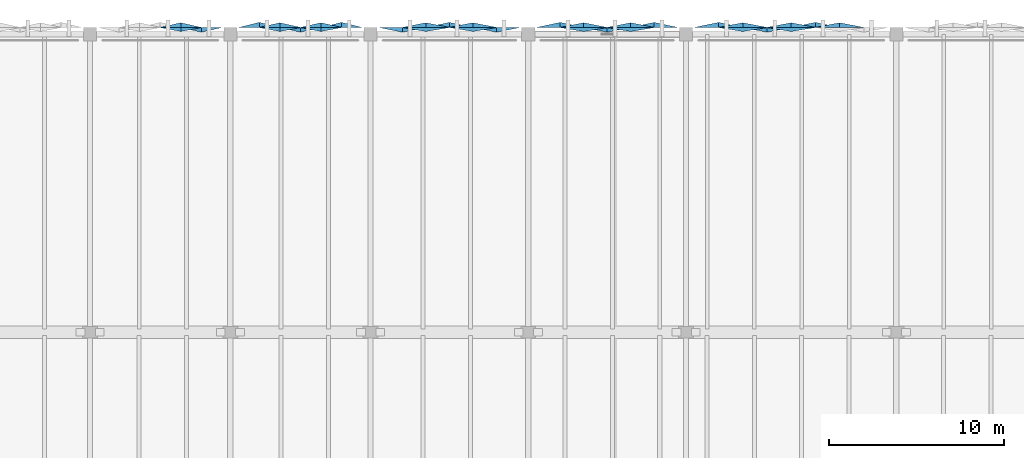
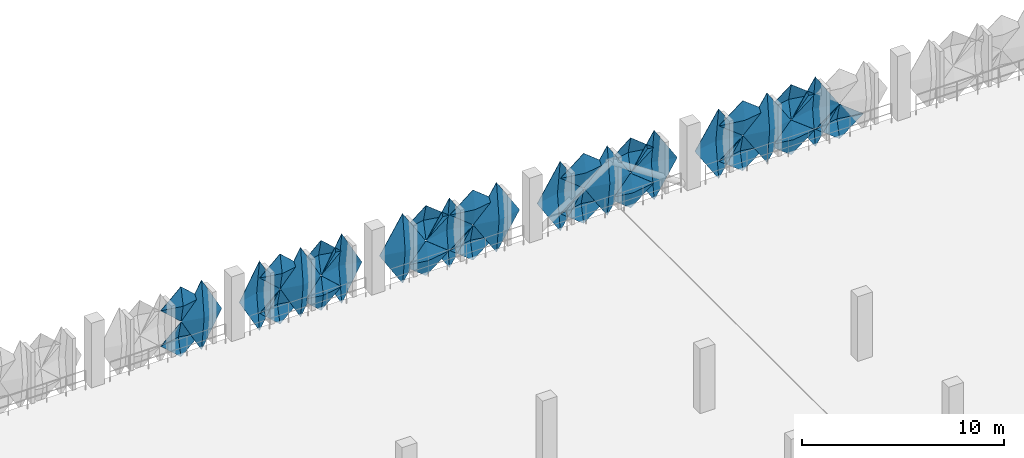
# One storey, part 68 of 83: 32 plates.
"""IFC4 building model written with IfcOpenShell, lengths in metres."""

from ifc_helpers import new_model, si_unit, derived_unit, direction, frame, origin, place, context, subcontext, project, spatial, polygons, material, layer, layer_set, type_object, element, save


model = new_model("IFC4")

# Units and contexts
model_context = context("Model", 3, precision=1e-05, world=origin(), true_north=direction((0.0, 1.0)))
body_context = subcontext(model_context, "Body", "Model", "MODEL_VIEW")
ifc_project = project(units=[si_unit("LENGTHUNIT", "METRE"), si_unit("AREAUNIT", "SQUARE_METRE"), si_unit("VOLUMEUNIT", "CUBIC_METRE"), si_unit("PLANEANGLEUNIT", "RADIAN"), si_unit("MASSUNIT", "GRAM", prefix="KILO"), si_unit("THERMODYNAMICTEMPERATUREUNIT", "KELVIN"), derived_unit("THERMALTRANSMITTANCEUNIT", [(si_unit("POWERUNIT", "WATT"), 1), (si_unit("AREAUNIT", "SQUARE_METRE"), -1), (si_unit("THERMODYNAMICTEMPERATUREUNIT", "KELVIN"), -1)])], contexts=[model_context])

# Site, building, storey
site_placement = place(None, origin())
site = spatial("IfcSite", under=ifc_project, at=site_placement, CompositionType="ELEMENT")
building_placement = place(site_placement, origin())
building = spatial("IfcBuilding", under=site, at=building_placement, Name="Haiyu Intermodal Mobility Hub", CompositionType="ELEMENT")
storey_placement = place(building_placement, frame((0.0, 0.0, 13.39990234375)))
storey = spatial("IfcBuildingStorey", under=building, at=storey_placement, Name="L03", CompositionType="ELEMENT", Elevation=13.39990234375)

# Plates
ifc_material = material(Name="Anodised aluminium 6063-T6", Category="aluminium")
ifc_layer_1 = layer(ifc_material, 0.01806640625)
ifc_layer_set_1 = layer_set([ifc_layer_1], Name="Anodised aluminium 6063-T6")
plate_type_1 = type_object("IfcPlateType", Name="PLT-FC01", PredefinedType="USERDEFINED", material=ifc_layer_set_1)
plate_1_placement = place(storey_placement, origin())
element("IfcPlate", 1, at=plate_1_placement, inside=storey, type_object=plate_type_1, Name="PLT-PYR-0192", ObjectType="FACADE CASSETTE", PredefinedType="USERDEFINED", context=body_context, shape_type="Tessellation", body=[
    polygons([(75.173095703125, 148.39990234375, 1.6201171875), (74.02001953125, 148.39990234375, 2.670166015625), (75.173095703125, 148.39990234375, 3.72021484375), (76.326904296875, 148.39990234375, 2.670166015625), (75.173095703125, 148.659912109375, 2.670166015625), (75.173095703125, 148.3779296875, 1.6201171875), (74.02001953125, 148.3779296875, 2.670166015625), (75.173095703125, 148.3779296875, 3.72021484375), (76.326904296875, 148.3779296875, 2.670166015625), (75.173095703125, 148.637939453125, 2.670166015625)], [[[1, 2, 5]], [[2, 3, 5]], [[3, 4, 5]], [[4, 1, 5]], [[7, 6, 10]], [[8, 7, 10]], [[9, 8, 10]], [[6, 9, 10]], [[1, 6, 7, 2]], [[2, 7, 8, 3]], [[3, 8, 9, 4]], [[4, 9, 6, 1]]], closed=True),
])
plate_2_placement = place(storey_placement, origin())
element("IfcPlate", 2, at=plate_2_placement, inside=storey, type_object=plate_type_1, Name="PLT-PYR-0228", ObjectType="FACADE CASSETTE", PredefinedType="USERDEFINED", context=body_context, shape_type="Tessellation", body=[
    polygons([(82.5, 148.39990234375, -0.510009765625), (81.179931640625, 148.39990234375, 1.60009765625), (82.5, 148.39990234375, 3.710205078125), (83.820068359375, 148.39990234375, 1.60009765625), (82.5, 148.679931640625, 1.60009765625), (82.5, 148.3779296875, -0.510009765625), (81.179931640625, 148.3779296875, 1.60009765625), (82.5, 148.3779296875, 3.710205078125), (83.820068359375, 148.3779296875, 1.60009765625), (82.5, 148.657958984375, 1.60009765625)], [[[1, 2, 5]], [[2, 3, 5]], [[3, 4, 5]], [[4, 1, 5]], [[7, 6, 10]], [[8, 7, 10]], [[9, 8, 10]], [[6, 9, 10]], [[1, 6, 7, 2]], [[2, 7, 8, 3]], [[3, 8, 9, 4]], [[4, 9, 6, 1]]], closed=True),
])
plate_3_placement = place(storey_placement, origin())
element("IfcPlate", 3, at=plate_3_placement, inside=storey, type_object=plate_type_1, Name="PLT-PYR-0230", ObjectType="FACADE CASSETTE", PredefinedType="USERDEFINED", context=body_context, shape_type="Tessellation", body=[
    polygons([(81.159912109375, 148.39990234375, 1.6201171875), (79.840087890625, 148.39990234375, 2.670166015625), (81.159912109375, 148.39990234375, 3.72021484375), (82.47998046875, 148.39990234375, 2.670166015625), (81.159912109375, 148.659912109375, 2.670166015625), (81.159912109375, 148.3779296875, 1.6201171875), (79.840087890625, 148.3779296875, 2.670166015625), (81.159912109375, 148.3779296875, 3.72021484375), (82.47998046875, 148.3779296875, 2.670166015625), (81.159912109375, 148.637939453125, 2.670166015625)], [[[1, 2, 5]], [[2, 3, 5]], [[3, 4, 5]], [[4, 1, 5]], [[7, 6, 10]], [[8, 7, 10]], [[9, 8, 10]], [[6, 9, 10]], [[1, 6, 7, 2]], [[2, 7, 8, 3]], [[3, 8, 9, 4]], [[4, 9, 6, 1]]], closed=True),
])
plate_4_placement = place(storey_placement, origin())
element("IfcPlate", 4, at=plate_4_placement, inside=storey, type_object=plate_type_1, Name="PLT-PYR-0262", ObjectType="FACADE CASSETTE", PredefinedType="USERDEFINED", context=body_context, shape_type="Tessellation", body=[
    polygons([(92.840087890625, 148.39990234375, 1.6201171875), (91.52001953125, 148.39990234375, 2.670166015625), (92.840087890625, 148.39990234375, 3.72021484375), (94.159912109375, 148.39990234375, 2.670166015625), (92.840087890625, 148.659912109375, 2.670166015625), (92.840087890625, 148.3779296875, 1.6201171875), (91.52001953125, 148.3779296875, 2.670166015625), (92.840087890625, 148.3779296875, 3.72021484375), (94.159912109375, 148.3779296875, 2.670166015625), (92.840087890625, 148.637939453125, 2.670166015625)], [[[1, 2, 5]], [[2, 3, 5]], [[3, 4, 5]], [[4, 1, 5]], [[7, 6, 10]], [[8, 7, 10]], [[9, 8, 10]], [[6, 9, 10]], [[1, 6, 7, 2]], [[2, 7, 8, 3]], [[3, 8, 9, 4]], [[4, 9, 6, 1]]], closed=True),
])
plate_5_placement = place(storey_placement, origin())
element("IfcPlate", 5, at=plate_5_placement, inside=storey, type_object=plate_type_1, Name="PLT-PYR-0304", ObjectType="FACADE CASSETTE", PredefinedType="USERDEFINED", context=body_context, shape_type="Tessellation", body=[
    polygons([(103.3798828125, 148.39990234375, -0.510009765625), (102.02001953125, 148.39990234375, 1.60009765625), (103.3798828125, 148.39990234375, 3.710205078125), (104.739990234375, 148.39990234375, 1.60009765625), (103.3798828125, 148.679931640625, 1.60009765625), (103.3798828125, 148.3779296875, -0.510009765625), (102.02001953125, 148.3779296875, 1.60009765625), (103.3798828125, 148.3779296875, 3.710205078125), (104.739990234375, 148.3779296875, 1.60009765625), (103.3798828125, 148.657958984375, 1.60009765625)], [[[1, 2, 5]], [[2, 3, 5]], [[3, 4, 5]], [[4, 1, 5]], [[7, 6, 10]], [[8, 7, 10]], [[9, 8, 10]], [[6, 9, 10]], [[1, 6, 7, 2]], [[2, 7, 8, 3]], [[3, 8, 9, 4]], [[4, 9, 6, 1]]], closed=True),
])
plate_6_placement = place(storey_placement, origin())
element("IfcPlate", 6, at=plate_6_placement, inside=storey, type_object=plate_type_1, Name="PLT-PYR-0306", ObjectType="FACADE CASSETTE", PredefinedType="USERDEFINED", context=body_context, shape_type="Tessellation", body=[
    polygons([(102.0, 148.39990234375, 1.6201171875), (100.639892578125, 148.39990234375, 2.670166015625), (102.0, 148.39990234375, 3.72021484375), (103.360107421875, 148.39990234375, 2.670166015625), (102.0, 148.659912109375, 2.670166015625), (102.0, 148.3779296875, 1.6201171875), (100.639892578125, 148.3779296875, 2.670166015625), (102.0, 148.3779296875, 3.72021484375), (103.360107421875, 148.3779296875, 2.670166015625), (102.0, 148.637939453125, 2.670166015625)], [[[1, 2, 5]], [[2, 3, 5]], [[3, 4, 5]], [[4, 1, 5]], [[7, 6, 10]], [[8, 7, 10]], [[9, 8, 10]], [[6, 9, 10]], [[1, 6, 7, 2]], [[2, 7, 8, 3]], [[3, 8, 9, 4]], [[4, 9, 6, 1]]], closed=True),
])
ifc_layer_2 = layer(ifc_material, 0.02001953125)
ifc_layer_set_2 = layer_set([ifc_layer_2], Name="Anodised aluminium 6063-T6")
plate_type_2 = type_object("IfcPlateType", Name="PLT-FC02", PredefinedType="USERDEFINED", material=ifc_layer_set_2)
plate_7_placement = place(storey_placement, origin())
element("IfcPlate", 7, at=plate_7_placement, inside=storey, type_object=plate_type_2, Name="PLT-PYR-0157", ObjectType="FACADE CASSETTE", PredefinedType="USERDEFINED", context=body_context, shape_type="Tessellation", body=[
    polygons([(67.173095703125, 148.39990234375, 1.6201171875), (66.02001953125, 148.39990234375, 2.670166015625), (67.173095703125, 148.39990234375, 3.72021484375), (68.326904296875, 148.39990234375, 2.670166015625), (67.173095703125, 148.179931640625, 2.670166015625), (67.173095703125, 148.3779296875, 1.6201171875), (66.02001953125, 148.3779296875, 2.670166015625), (67.173095703125, 148.3779296875, 3.72021484375), (68.326904296875, 148.3779296875, 2.670166015625), (67.173095703125, 148.157958984375, 2.670166015625)], [[[1, 2, 5]], [[2, 3, 5]], [[3, 4, 5]], [[4, 1, 5]], [[7, 6, 10]], [[8, 7, 10]], [[9, 8, 10]], [[6, 9, 10]], [[1, 6, 7, 2]], [[2, 7, 8, 3]], [[3, 8, 9, 4]], [[4, 9, 6, 1]]], closed=True),
])
plate_8_placement = place(storey_placement, origin())
element("IfcPlate", 8, at=plate_8_placement, inside=storey, type_object=plate_type_2, Name="PLT-PYR-0193", ObjectType="FACADE CASSETTE", PredefinedType="USERDEFINED", context=body_context, shape_type="Tessellation", body=[
    polygons([(74.0, 148.39990234375, -0.510009765625), (72.846923828125, 148.39990234375, 1.60009765625), (74.0, 148.39990234375, 3.710205078125), (75.153076171875, 148.39990234375, 1.60009765625), (74.0, 148.139892578125, 1.60009765625), (74.0, 148.3779296875, -0.510009765625), (72.846923828125, 148.3779296875, 1.60009765625), (74.0, 148.3779296875, 3.710205078125), (75.153076171875, 148.3779296875, 1.60009765625), (74.0, 148.117919921875, 1.60009765625)], [[[1, 2, 5]], [[2, 3, 5]], [[3, 4, 5]], [[4, 1, 5]], [[7, 6, 10]], [[8, 7, 10]], [[9, 8, 10]], [[6, 9, 10]], [[1, 6, 7, 2]], [[2, 7, 8, 3]], [[3, 8, 9, 4]], [[4, 9, 6, 1]]], closed=True),
])
plate_9_placement = place(storey_placement, origin())
element("IfcPlate", 9, at=plate_9_placement, inside=storey, type_object=plate_type_2, Name="PLT-PYR-0195", ObjectType="FACADE CASSETTE", PredefinedType="USERDEFINED", context=body_context, shape_type="Tessellation", body=[
    polygons([(72.826904296875, 148.39990234375, 1.6201171875), (71.673095703125, 148.39990234375, 2.670166015625), (72.826904296875, 148.39990234375, 3.72021484375), (73.97998046875, 148.39990234375, 2.670166015625), (72.826904296875, 148.179931640625, 2.670166015625), (72.826904296875, 148.3779296875, 1.6201171875), (71.673095703125, 148.3779296875, 2.670166015625), (72.826904296875, 148.3779296875, 3.72021484375), (73.97998046875, 148.3779296875, 2.670166015625), (72.826904296875, 148.157958984375, 2.670166015625)], [[[1, 2, 5]], [[2, 3, 5]], [[3, 4, 5]], [[4, 1, 5]], [[7, 6, 10]], [[8, 7, 10]], [[9, 8, 10]], [[6, 9, 10]], [[1, 6, 7, 2]], [[2, 7, 8, 3]], [[3, 8, 9, 4]], [[4, 9, 6, 1]]], closed=True),
])
plate_10_placement = place(storey_placement, origin())
element("IfcPlate", 10, at=plate_10_placement, inside=storey, type_object=plate_type_2, Name="PLT-PYR-0227", ObjectType="FACADE CASSETTE", PredefinedType="USERDEFINED", context=body_context, shape_type="Tessellation", body=[
    polygons([(83.840087890625, 148.39990234375, 1.6201171875), (82.52001953125, 148.39990234375, 2.670166015625), (83.840087890625, 148.39990234375, 3.72021484375), (85.159912109375, 148.39990234375, 2.670166015625), (83.840087890625, 148.179931640625, 2.670166015625), (83.840087890625, 148.3779296875, 1.6201171875), (82.52001953125, 148.3779296875, 2.670166015625), (83.840087890625, 148.3779296875, 3.72021484375), (85.159912109375, 148.3779296875, 2.670166015625), (83.840087890625, 148.157958984375, 2.670166015625)], [[[1, 2, 5]], [[2, 3, 5]], [[3, 4, 5]], [[4, 1, 5]], [[7, 6, 10]], [[8, 7, 10]], [[9, 8, 10]], [[6, 9, 10]], [[1, 6, 7, 2]], [[2, 7, 8, 3]], [[3, 8, 9, 4]], [[4, 9, 6, 1]]], closed=True),
])
plate_11_placement = place(storey_placement, origin())
element("IfcPlate", 11, at=plate_11_placement, inside=storey, type_object=plate_type_2, Name="PLT-PYR-0263", ObjectType="FACADE CASSETTE", PredefinedType="USERDEFINED", context=body_context, shape_type="Tessellation", body=[
    polygons([(91.5, 148.39990234375, -0.510009765625), (90.179931640625, 148.39990234375, 1.60009765625), (91.5, 148.39990234375, 3.710205078125), (92.820068359375, 148.39990234375, 1.60009765625), (91.5, 148.139892578125, 1.60009765625), (91.5, 148.3779296875, -0.510009765625), (90.179931640625, 148.3779296875, 1.60009765625), (91.5, 148.3779296875, 3.710205078125), (92.820068359375, 148.3779296875, 1.60009765625), (91.5, 148.117919921875, 1.60009765625)], [[[1, 2, 5]], [[2, 3, 5]], [[3, 4, 5]], [[4, 1, 5]], [[7, 6, 10]], [[8, 7, 10]], [[9, 8, 10]], [[6, 9, 10]], [[1, 6, 7, 2]], [[2, 7, 8, 3]], [[3, 8, 9, 4]], [[4, 9, 6, 1]]], closed=True),
])
plate_12_placement = place(storey_placement, origin())
element("IfcPlate", 12, at=plate_12_placement, inside=storey, type_object=plate_type_2, Name="PLT-PYR-0265", ObjectType="FACADE CASSETTE", PredefinedType="USERDEFINED", context=body_context, shape_type="Tessellation", body=[
    polygons([(90.159912109375, 148.39990234375, 1.6201171875), (88.840087890625, 148.39990234375, 2.670166015625), (90.159912109375, 148.39990234375, 3.72021484375), (91.47998046875, 148.39990234375, 2.670166015625), (90.159912109375, 148.179931640625, 2.670166015625), (90.159912109375, 148.3779296875, 1.6201171875), (88.840087890625, 148.3779296875, 2.670166015625), (90.159912109375, 148.3779296875, 3.72021484375), (91.47998046875, 148.3779296875, 2.670166015625), (90.159912109375, 148.157958984375, 2.670166015625)], [[[1, 2, 5]], [[2, 3, 5]], [[3, 4, 5]], [[4, 1, 5]], [[7, 6, 10]], [[8, 7, 10]], [[9, 8, 10]], [[6, 9, 10]], [[1, 6, 7, 2]], [[2, 7, 8, 3]], [[3, 8, 9, 4]], [[4, 9, 6, 1]]], closed=True),
])
plate_13_placement = place(storey_placement, origin())
element("IfcPlate", 13, at=plate_13_placement, inside=storey, type_object=plate_type_2, Name="PLT-PYR-0309", ObjectType="FACADE CASSETTE", PredefinedType="USERDEFINED", context=body_context, shape_type="Tessellation", body=[
    polygons([(99.239990234375, 148.39990234375, 1.6201171875), (97.8798828125, 148.39990234375, 2.670166015625), (99.239990234375, 148.39990234375, 3.72021484375), (100.60009765625, 148.39990234375, 2.670166015625), (99.239990234375, 148.179931640625, 2.670166015625), (99.239990234375, 148.3779296875, 1.6201171875), (97.8798828125, 148.3779296875, 2.670166015625), (99.239990234375, 148.3779296875, 3.72021484375), (100.60009765625, 148.3779296875, 2.670166015625), (99.239990234375, 148.157958984375, 2.670166015625)], [[[1, 2, 5]], [[2, 3, 5]], [[3, 4, 5]], [[4, 1, 5]], [[7, 6, 10]], [[8, 7, 10]], [[9, 8, 10]], [[6, 9, 10]], [[1, 6, 7, 2]], [[2, 7, 8, 3]], [[3, 8, 9, 4]], [[4, 9, 6, 1]]], closed=True),
])
ifc_layer_3 = layer(ifc_material, 0.01806640625)
ifc_layer_set_3 = layer_set([ifc_layer_3], Name="Anodised aluminium 6063-T6")
plate_type_3 = type_object("IfcPlateType", Name="PLT-FC03", PredefinedType="USERDEFINED", material=ifc_layer_set_3)
plate_14_placement = place(storey_placement, origin())
element("IfcPlate", 14, at=plate_14_placement, inside=storey, type_object=plate_type_3, Name="PLT-PYR-0196", ObjectType="FACADE CASSETTE", PredefinedType="USERDEFINED", context=body_context, shape_type="Tessellation", body=[
    polygons([(71.653076171875, 148.39990234375, -0.510009765625), (70.5, 148.39990234375, 1.60009765625), (71.653076171875, 148.39990234375, 3.710205078125), (72.806884765625, 148.39990234375, 1.60009765625), (71.653076171875, 148.679931640625, 1.60009765625), (71.653076171875, 148.3779296875, -0.510009765625), (70.5, 148.3779296875, 1.60009765625), (71.653076171875, 148.3779296875, 3.710205078125), (72.806884765625, 148.3779296875, 1.60009765625), (71.653076171875, 148.657958984375, 1.60009765625)], [[[1, 2, 5]], [[2, 3, 5]], [[3, 4, 5]], [[4, 1, 5]], [[7, 6, 10]], [[8, 7, 10]], [[9, 8, 10]], [[6, 9, 10]], [[1, 6, 7, 2]], [[2, 7, 8, 3]], [[3, 8, 9, 4]], [[4, 9, 6, 1]]], closed=True),
])
plate_15_placement = place(storey_placement, origin())
element("IfcPlate", 15, at=plate_15_placement, inside=storey, type_object=plate_type_3, Name="PLT-PYR-0266", ObjectType="FACADE CASSETTE", PredefinedType="USERDEFINED", context=body_context, shape_type="Tessellation", body=[
    polygons([(88.820068359375, 148.39990234375, -0.510009765625), (87.5, 148.39990234375, 1.60009765625), (88.820068359375, 148.39990234375, 3.710205078125), (90.139892578125, 148.39990234375, 1.60009765625), (88.820068359375, 148.679931640625, 1.60009765625), (88.820068359375, 148.3779296875, -0.510009765625), (87.5, 148.3779296875, 1.60009765625), (88.820068359375, 148.3779296875, 3.710205078125), (90.139892578125, 148.3779296875, 1.60009765625), (88.820068359375, 148.657958984375, 1.60009765625)], [[[1, 2, 5]], [[2, 3, 5]], [[3, 4, 5]], [[4, 1, 5]], [[7, 6, 10]], [[8, 7, 10]], [[9, 8, 10]], [[6, 9, 10]], [[1, 6, 7, 2]], [[2, 7, 8, 3]], [[3, 8, 9, 4]], [[4, 9, 6, 1]]], closed=True),
])
ifc_layer_4 = layer(ifc_material, 0.02001953125)
ifc_layer_set_4 = layer_set([ifc_layer_4], Name="Anodised aluminium 6063-T6")
plate_type_4 = type_object("IfcPlateType", Name="PLT-FC04", PredefinedType="USERDEFINED", material=ifc_layer_set_4)
plate_16_placement = place(storey_placement, origin())
element("IfcPlate", 16, at=plate_16_placement, inside=storey, type_object=plate_type_4, Name="PLT-PYR-0231", ObjectType="FACADE CASSETTE", PredefinedType="USERDEFINED", context=body_context, shape_type="Tessellation", body=[
    polygons([(79.820068359375, 148.39990234375, -0.510009765625), (78.5, 148.39990234375, 1.60009765625), (79.820068359375, 148.39990234375, 3.710205078125), (81.139892578125, 148.39990234375, 1.60009765625), (79.820068359375, 148.139892578125, 1.60009765625), (79.820068359375, 148.3779296875, -0.510009765625), (78.5, 148.3779296875, 1.60009765625), (79.820068359375, 148.3779296875, 3.710205078125), (81.139892578125, 148.3779296875, 1.60009765625), (79.820068359375, 148.117919921875, 1.60009765625)], [[[1, 2, 5]], [[2, 3, 5]], [[3, 4, 5]], [[4, 1, 5]], [[7, 6, 10]], [[8, 7, 10]], [[9, 8, 10]], [[6, 9, 10]], [[1, 6, 7, 2]], [[2, 7, 8, 3]], [[3, 8, 9, 4]], [[4, 9, 6, 1]]], closed=True),
])
plate_17_placement = place(storey_placement, origin())
element("IfcPlate", 17, at=plate_17_placement, inside=storey, type_object=plate_type_4, Name="PLT-PYR-0307", ObjectType="FACADE CASSETTE", PredefinedType="USERDEFINED", context=body_context, shape_type="Tessellation", body=[
    polygons([(100.6201171875, 148.39990234375, -0.510009765625), (99.260009765625, 148.39990234375, 1.60009765625), (100.6201171875, 148.39990234375, 3.710205078125), (101.97998046875, 148.39990234375, 1.60009765625), (100.6201171875, 148.139892578125, 1.60009765625), (100.6201171875, 148.3779296875, -0.510009765625), (99.260009765625, 148.3779296875, 1.60009765625), (100.6201171875, 148.3779296875, 3.710205078125), (101.97998046875, 148.3779296875, 1.60009765625), (100.6201171875, 148.117919921875, 1.60009765625)], [[[1, 2, 5]], [[2, 3, 5]], [[3, 4, 5]], [[4, 1, 5]], [[7, 6, 10]], [[8, 7, 10]], [[9, 8, 10]], [[6, 9, 10]], [[1, 6, 7, 2]], [[2, 7, 8, 3]], [[3, 8, 9, 4]], [[4, 9, 6, 1]]], closed=True),
])
ifc_layer_5 = layer(ifc_material, 0.01806640625)
ifc_layer_set_5 = layer_set([ifc_layer_5], Name="Anodised aluminium 6063-T6")
plate_type_5 = type_object("IfcPlateType", Name="PLT-FC05", PredefinedType="USERDEFINED", material=ifc_layer_set_5)
plate_18_placement = place(storey_placement, origin())
element("IfcPlate", 18, at=plate_18_placement, inside=storey, type_object=plate_type_5, Name="PLT-PYR-0310", ObjectType="FACADE CASSETTE", PredefinedType="USERDEFINED", context=body_context, shape_type="Tessellation", body=[
    polygons([(97.860107421875, 148.39990234375, -0.510009765625), (96.5, 148.39990234375, 1.60009765625), (97.860107421875, 148.39990234375, 3.710205078125), (99.219970703125, 148.39990234375, 1.60009765625), (97.860107421875, 148.679931640625, 1.60009765625), (97.860107421875, 148.3779296875, -0.510009765625), (96.5, 148.3779296875, 1.60009765625), (97.860107421875, 148.3779296875, 3.710205078125), (99.219970703125, 148.3779296875, 1.60009765625), (97.860107421875, 148.657958984375, 1.60009765625)], [[[1, 2, 5]], [[2, 3, 5]], [[3, 4, 5]], [[4, 1, 5]], [[7, 6, 10]], [[8, 7, 10]], [[9, 8, 10]], [[6, 9, 10]], [[1, 6, 7, 2]], [[2, 7, 8, 3]], [[3, 8, 9, 4]], [[4, 9, 6, 1]]], closed=True),
])
ifc_layer_6 = layer(ifc_material, 0.02197265625)
ifc_layer_set_6 = layer_set([ifc_layer_6], Name="Anodised aluminium 6063-T6")
plate_type_6 = type_object("IfcPlateType", Name="PLT-FC07", PredefinedType="USERDEFINED", material=ifc_layer_set_6)
plate_19_placement = place(storey_placement, origin())
element("IfcPlate", 19, at=plate_19_placement, inside=storey, type_object=plate_type_6, Name="PLT-PYR-0156", ObjectType="FACADE CASSETTE", PredefinedType="USERDEFINED", context=body_context, shape_type="Tessellation", body=[
    polygons([(67.173095703125, 148.39990234375, -0.52001953125), (66.02001953125, 148.39990234375, 0.530029296875), (67.173095703125, 148.39990234375, 1.580078125), (68.326904296875, 148.39990234375, 0.530029296875), (67.173095703125, 148.659912109375, 0.530029296875), (67.173095703125, 148.3779296875, -0.52001953125), (66.02001953125, 148.3779296875, 0.530029296875), (67.173095703125, 148.3779296875, 1.580078125), (68.326904296875, 148.3779296875, 0.530029296875), (67.173095703125, 148.637939453125, 0.530029296875)], [[[1, 2, 5]], [[2, 3, 5]], [[3, 4, 5]], [[4, 1, 5]], [[7, 6, 10]], [[8, 7, 10]], [[9, 8, 10]], [[6, 9, 10]], [[1, 6, 7, 2]], [[2, 7, 8, 3]], [[3, 8, 9, 4]], [[4, 9, 6, 1]]], closed=True),
])
plate_20_placement = place(storey_placement, origin())
element("IfcPlate", 20, at=plate_20_placement, inside=storey, type_object=plate_type_6, Name="PLT-PYR-0190", ObjectType="FACADE CASSETTE", PredefinedType="USERDEFINED", context=body_context, shape_type="Tessellation", body=[
    polygons([(76.346923828125, 148.39990234375, -0.510009765625), (75.193115234375, 148.39990234375, 1.60009765625), (76.346923828125, 148.39990234375, 3.710205078125), (77.5, 148.39990234375, 1.60009765625), (76.346923828125, 148.679931640625, 1.60009765625), (76.346923828125, 148.3779296875, -0.510009765625), (75.193115234375, 148.3779296875, 1.60009765625), (76.346923828125, 148.3779296875, 3.710205078125), (77.5, 148.3779296875, 1.60009765625), (76.346923828125, 148.657958984375, 1.60009765625)], [[[1, 2, 5]], [[2, 3, 5]], [[3, 4, 5]], [[4, 1, 5]], [[7, 6, 10]], [[8, 7, 10]], [[9, 8, 10]], [[6, 9, 10]], [[1, 6, 7, 2]], [[2, 7, 8, 3]], [[3, 8, 9, 4]], [[4, 9, 6, 1]]], closed=True),
])
plate_21_placement = place(storey_placement, origin())
element("IfcPlate", 21, at=plate_21_placement, inside=storey, type_object=plate_type_6, Name="PLT-PYR-0194", ObjectType="FACADE CASSETTE", PredefinedType="USERDEFINED", context=body_context, shape_type="Tessellation", body=[
    polygons([(72.826904296875, 148.39990234375, -0.52001953125), (71.673095703125, 148.39990234375, 0.530029296875), (72.826904296875, 148.39990234375, 1.580078125), (73.97998046875, 148.39990234375, 0.530029296875), (72.826904296875, 148.659912109375, 0.530029296875), (72.826904296875, 148.3779296875, -0.52001953125), (71.673095703125, 148.3779296875, 0.530029296875), (72.826904296875, 148.3779296875, 1.580078125), (73.97998046875, 148.3779296875, 0.530029296875), (72.826904296875, 148.637939453125, 0.530029296875)], [[[1, 2, 5]], [[2, 3, 5]], [[3, 4, 5]], [[4, 1, 5]], [[7, 6, 10]], [[8, 7, 10]], [[9, 8, 10]], [[6, 9, 10]], [[1, 6, 7, 2]], [[2, 7, 8, 3]], [[3, 8, 9, 4]], [[4, 9, 6, 1]]], closed=True),
])
plate_22_placement = place(storey_placement, origin())
element("IfcPlate", 22, at=plate_22_placement, inside=storey, type_object=plate_type_6, Name="PLT-PYR-0226", ObjectType="FACADE CASSETTE", PredefinedType="USERDEFINED", context=body_context, shape_type="Tessellation", body=[
    polygons([(83.840087890625, 148.39990234375, -0.52001953125), (82.52001953125, 148.39990234375, 0.530029296875), (83.840087890625, 148.39990234375, 1.580078125), (85.159912109375, 148.39990234375, 0.530029296875), (83.840087890625, 148.659912109375, 0.530029296875), (83.840087890625, 148.3779296875, -0.52001953125), (82.52001953125, 148.3779296875, 0.530029296875), (83.840087890625, 148.3779296875, 1.580078125), (85.159912109375, 148.3779296875, 0.530029296875), (83.840087890625, 148.637939453125, 0.530029296875)], [[[1, 2, 5]], [[2, 3, 5]], [[3, 4, 5]], [[4, 1, 5]], [[7, 6, 10]], [[8, 7, 10]], [[9, 8, 10]], [[6, 9, 10]], [[1, 6, 7, 2]], [[2, 7, 8, 3]], [[3, 8, 9, 4]], [[4, 9, 6, 1]]], closed=True),
])
plate_23_placement = place(storey_placement, origin())
element("IfcPlate", 23, at=plate_23_placement, inside=storey, type_object=plate_type_6, Name="PLT-PYR-0260", ObjectType="FACADE CASSETTE", PredefinedType="USERDEFINED", context=body_context, shape_type="Tessellation", body=[
    polygons([(94.179931640625, 148.39990234375, -0.510009765625), (92.860107421875, 148.39990234375, 1.60009765625), (94.179931640625, 148.39990234375, 3.710205078125), (95.5, 148.39990234375, 1.60009765625), (94.179931640625, 148.679931640625, 1.60009765625), (94.179931640625, 148.3779296875, -0.510009765625), (92.860107421875, 148.3779296875, 1.60009765625), (94.179931640625, 148.3779296875, 3.710205078125), (95.5, 148.3779296875, 1.60009765625), (94.179931640625, 148.657958984375, 1.60009765625)], [[[1, 2, 5]], [[2, 3, 5]], [[3, 4, 5]], [[4, 1, 5]], [[7, 6, 10]], [[8, 7, 10]], [[9, 8, 10]], [[6, 9, 10]], [[1, 6, 7, 2]], [[2, 7, 8, 3]], [[3, 8, 9, 4]], [[4, 9, 6, 1]]], closed=True),
])
plate_24_placement = place(storey_placement, origin())
element("IfcPlate", 24, at=plate_24_placement, inside=storey, type_object=plate_type_6, Name="PLT-PYR-0264", ObjectType="FACADE CASSETTE", PredefinedType="USERDEFINED", context=body_context, shape_type="Tessellation", body=[
    polygons([(90.159912109375, 148.39990234375, -0.52001953125), (88.840087890625, 148.39990234375, 0.530029296875), (90.159912109375, 148.39990234375, 1.580078125), (91.47998046875, 148.39990234375, 0.530029296875), (90.159912109375, 148.659912109375, 0.530029296875), (90.159912109375, 148.3779296875, -0.52001953125), (88.840087890625, 148.3779296875, 0.530029296875), (90.159912109375, 148.3779296875, 1.580078125), (91.47998046875, 148.3779296875, 0.530029296875), (90.159912109375, 148.637939453125, 0.530029296875)], [[[1, 2, 5]], [[2, 3, 5]], [[3, 4, 5]], [[4, 1, 5]], [[7, 6, 10]], [[8, 7, 10]], [[9, 8, 10]], [[6, 9, 10]], [[1, 6, 7, 2]], [[2, 7, 8, 3]], [[3, 8, 9, 4]], [[4, 9, 6, 1]]], closed=True),
])
plate_25_placement = place(storey_placement, origin())
element("IfcPlate", 25, at=plate_25_placement, inside=storey, type_object=plate_type_6, Name="PLT-PYR-0302", ObjectType="FACADE CASSETTE", PredefinedType="USERDEFINED", context=body_context, shape_type="Tessellation", body=[
    polygons([(104.760009765625, 148.39990234375, -0.52001953125), (103.39990234375, 148.39990234375, 0.530029296875), (104.760009765625, 148.39990234375, 1.580078125), (106.1201171875, 148.39990234375, 0.530029296875), (104.760009765625, 148.659912109375, 0.530029296875), (104.760009765625, 148.3779296875, -0.52001953125), (103.39990234375, 148.3779296875, 0.530029296875), (104.760009765625, 148.3779296875, 1.580078125), (106.1201171875, 148.3779296875, 0.530029296875), (104.760009765625, 148.637939453125, 0.530029296875)], [[[1, 2, 5]], [[2, 3, 5]], [[3, 4, 5]], [[4, 1, 5]], [[7, 6, 10]], [[8, 7, 10]], [[9, 8, 10]], [[6, 9, 10]], [[1, 6, 7, 2]], [[2, 7, 8, 3]], [[3, 8, 9, 4]], [[4, 9, 6, 1]]], closed=True),
])
plate_26_placement = place(storey_placement, origin())
element("IfcPlate", 26, at=plate_26_placement, inside=storey, type_object=plate_type_6, Name="PLT-PYR-0308", ObjectType="FACADE CASSETTE", PredefinedType="USERDEFINED", context=body_context, shape_type="Tessellation", body=[
    polygons([(99.239990234375, 148.39990234375, -0.52001953125), (97.8798828125, 148.39990234375, 0.530029296875), (99.239990234375, 148.39990234375, 1.580078125), (100.60009765625, 148.39990234375, 0.530029296875), (99.239990234375, 148.659912109375, 0.530029296875), (99.239990234375, 148.3779296875, -0.52001953125), (97.8798828125, 148.3779296875, 0.530029296875), (99.239990234375, 148.3779296875, 1.580078125), (100.60009765625, 148.3779296875, 0.530029296875), (99.239990234375, 148.637939453125, 0.530029296875)], [[[1, 2, 5]], [[2, 3, 5]], [[3, 4, 5]], [[4, 1, 5]], [[7, 6, 10]], [[8, 7, 10]], [[9, 8, 10]], [[6, 9, 10]], [[1, 6, 7, 2]], [[2, 7, 8, 3]], [[3, 8, 9, 4]], [[4, 9, 6, 1]]], closed=True),
])
ifc_layer_7 = layer(ifc_material, 0.02392578125)
ifc_layer_set_7 = layer_set([ifc_layer_7], Name="Anodised aluminium 6063-T6")
plate_type_7 = type_object("IfcPlateType", Name="PLT-FC08", PredefinedType="USERDEFINED", material=ifc_layer_set_7)
plate_27_placement = place(storey_placement, origin())
element("IfcPlate", 27, at=plate_27_placement, inside=storey, type_object=plate_type_7, Name="PLT-PYR-0155", ObjectType="FACADE CASSETTE", PredefinedType="USERDEFINED", context=body_context, shape_type="Tessellation", body=[
    polygons([(68.346923828125, 148.39990234375, -0.510009765625), (67.193115234375, 148.39990234375, 1.60009765625), (68.346923828125, 148.39990234375, 3.710205078125), (69.5, 148.39990234375, 1.60009765625), (68.346923828125, 148.139892578125, 1.60009765625), (68.346923828125, 148.3779296875, -0.510009765625), (67.193115234375, 148.3779296875, 1.60009765625), (68.346923828125, 148.3779296875, 3.710205078125), (69.5, 148.3779296875, 1.60009765625), (68.346923828125, 148.117919921875, 1.60009765625)], [[[1, 2, 5]], [[2, 3, 5]], [[3, 4, 5]], [[4, 1, 5]], [[7, 6, 10]], [[8, 7, 10]], [[9, 8, 10]], [[6, 9, 10]], [[1, 6, 7, 2]], [[2, 7, 8, 3]], [[3, 8, 9, 4]], [[4, 9, 6, 1]]], closed=True),
])
plate_28_placement = place(storey_placement, origin())
element("IfcPlate", 28, at=plate_28_placement, inside=storey, type_object=plate_type_7, Name="PLT-PYR-0191", ObjectType="FACADE CASSETTE", PredefinedType="USERDEFINED", context=body_context, shape_type="Tessellation", body=[
    polygons([(75.173095703125, 148.39990234375, -0.52001953125), (74.02001953125, 148.39990234375, 0.530029296875), (75.173095703125, 148.39990234375, 1.580078125), (76.326904296875, 148.39990234375, 0.530029296875), (75.173095703125, 148.179931640625, 0.530029296875), (75.173095703125, 148.3779296875, -0.52001953125), (74.02001953125, 148.3779296875, 0.530029296875), (75.173095703125, 148.3779296875, 1.580078125), (76.326904296875, 148.3779296875, 0.530029296875), (75.173095703125, 148.157958984375, 0.530029296875)], [[[1, 2, 5]], [[2, 3, 5]], [[3, 4, 5]], [[4, 1, 5]], [[7, 6, 10]], [[8, 7, 10]], [[9, 8, 10]], [[6, 9, 10]], [[1, 6, 7, 2]], [[2, 7, 8, 3]], [[3, 8, 9, 4]], [[4, 9, 6, 1]]], closed=True),
])
plate_29_placement = place(storey_placement, origin())
element("IfcPlate", 29, at=plate_29_placement, inside=storey, type_object=plate_type_7, Name="PLT-PYR-0225", ObjectType="FACADE CASSETTE", PredefinedType="USERDEFINED", context=body_context, shape_type="Tessellation", body=[
    polygons([(85.179931640625, 148.39990234375, -0.510009765625), (83.860107421875, 148.39990234375, 1.60009765625), (85.179931640625, 148.39990234375, 3.710205078125), (86.5, 148.39990234375, 1.60009765625), (85.179931640625, 148.139892578125, 1.60009765625), (85.179931640625, 148.3779296875, -0.510009765625), (83.860107421875, 148.3779296875, 1.60009765625), (85.179931640625, 148.3779296875, 3.710205078125), (86.5, 148.3779296875, 1.60009765625), (85.179931640625, 148.117919921875, 1.60009765625)], [[[1, 2, 5]], [[2, 3, 5]], [[3, 4, 5]], [[4, 1, 5]], [[7, 6, 10]], [[8, 7, 10]], [[9, 8, 10]], [[6, 9, 10]], [[1, 6, 7, 2]], [[2, 7, 8, 3]], [[3, 8, 9, 4]], [[4, 9, 6, 1]]], closed=True),
])
plate_30_placement = place(storey_placement, origin())
element("IfcPlate", 30, at=plate_30_placement, inside=storey, type_object=plate_type_7, Name="PLT-PYR-0229", ObjectType="FACADE CASSETTE", PredefinedType="USERDEFINED", context=body_context, shape_type="Tessellation", body=[
    polygons([(81.159912109375, 148.39990234375, -0.52001953125), (79.840087890625, 148.39990234375, 0.530029296875), (81.159912109375, 148.39990234375, 1.580078125), (82.47998046875, 148.39990234375, 0.530029296875), (81.159912109375, 148.179931640625, 0.530029296875), (81.159912109375, 148.3779296875, -0.52001953125), (79.840087890625, 148.3779296875, 0.530029296875), (81.159912109375, 148.3779296875, 1.580078125), (82.47998046875, 148.3779296875, 0.530029296875), (81.159912109375, 148.157958984375, 0.530029296875)], [[[1, 2, 5]], [[2, 3, 5]], [[3, 4, 5]], [[4, 1, 5]], [[7, 6, 10]], [[8, 7, 10]], [[9, 8, 10]], [[6, 9, 10]], [[1, 6, 7, 2]], [[2, 7, 8, 3]], [[3, 8, 9, 4]], [[4, 9, 6, 1]]], closed=True),
])
plate_31_placement = place(storey_placement, origin())
element("IfcPlate", 31, at=plate_31_placement, inside=storey, type_object=plate_type_7, Name="PLT-PYR-0261", ObjectType="FACADE CASSETTE", PredefinedType="USERDEFINED", context=body_context, shape_type="Tessellation", body=[
    polygons([(92.840087890625, 148.39990234375, -0.52001953125), (91.52001953125, 148.39990234375, 0.530029296875), (92.840087890625, 148.39990234375, 1.580078125), (94.159912109375, 148.39990234375, 0.530029296875), (92.840087890625, 148.179931640625, 0.530029296875), (92.840087890625, 148.3779296875, -0.52001953125), (91.52001953125, 148.3779296875, 0.530029296875), (92.840087890625, 148.3779296875, 1.580078125), (94.159912109375, 148.3779296875, 0.530029296875), (92.840087890625, 148.157958984375, 0.530029296875)], [[[1, 2, 5]], [[2, 3, 5]], [[3, 4, 5]], [[4, 1, 5]], [[7, 6, 10]], [[8, 7, 10]], [[9, 8, 10]], [[6, 9, 10]], [[1, 6, 7, 2]], [[2, 7, 8, 3]], [[3, 8, 9, 4]], [[4, 9, 6, 1]]], closed=True),
])
plate_32_placement = place(storey_placement, origin())
element("IfcPlate", 32, at=plate_32_placement, inside=storey, type_object=plate_type_7, Name="PLT-PYR-0305", ObjectType="FACADE CASSETTE", PredefinedType="USERDEFINED", context=body_context, shape_type="Tessellation", body=[
    polygons([(102.0, 148.39990234375, -0.52001953125), (100.639892578125, 148.39990234375, 0.530029296875), (102.0, 148.39990234375, 1.580078125), (103.360107421875, 148.39990234375, 0.530029296875), (102.0, 148.179931640625, 0.530029296875), (102.0, 148.3779296875, -0.52001953125), (100.639892578125, 148.3779296875, 0.530029296875), (102.0, 148.3779296875, 1.580078125), (103.360107421875, 148.3779296875, 0.530029296875), (102.0, 148.157958984375, 0.530029296875)], [[[1, 2, 5]], [[2, 3, 5]], [[3, 4, 5]], [[4, 1, 5]], [[7, 6, 10]], [[8, 7, 10]], [[9, 8, 10]], [[6, 9, 10]], [[1, 6, 7, 2]], [[2, 7, 8, 3]], [[3, 8, 9, 4]], [[4, 9, 6, 1]]], closed=True),
])

save(model, "model.ifc")
